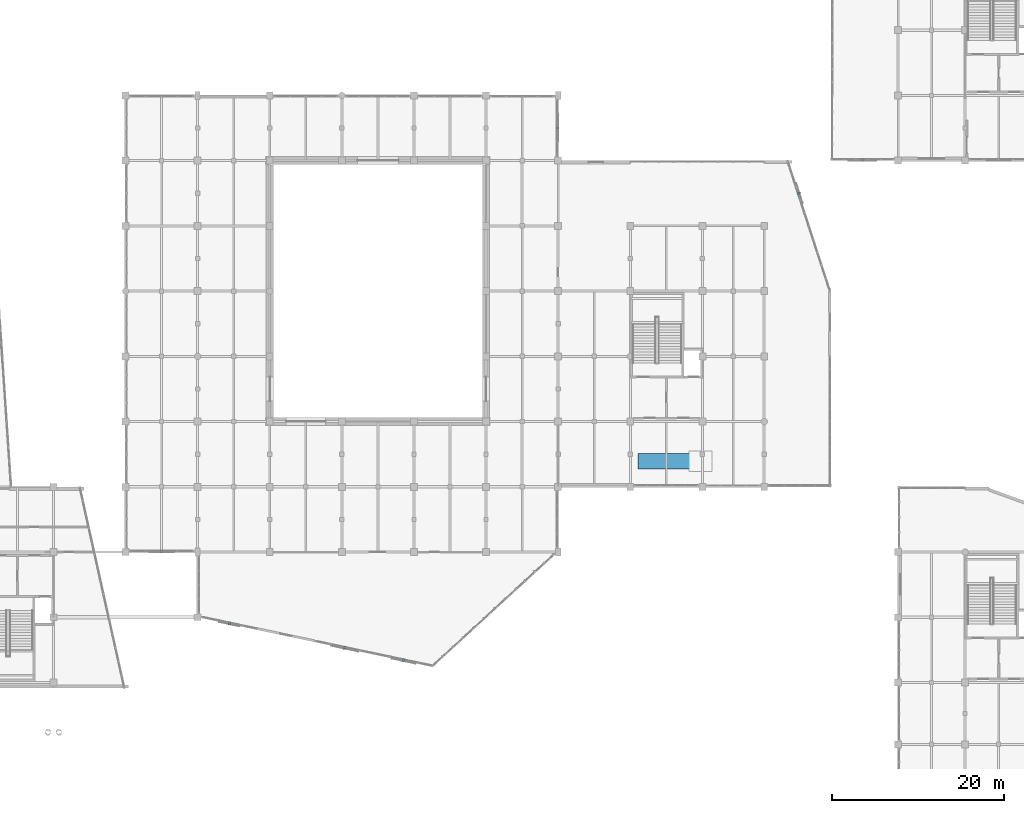
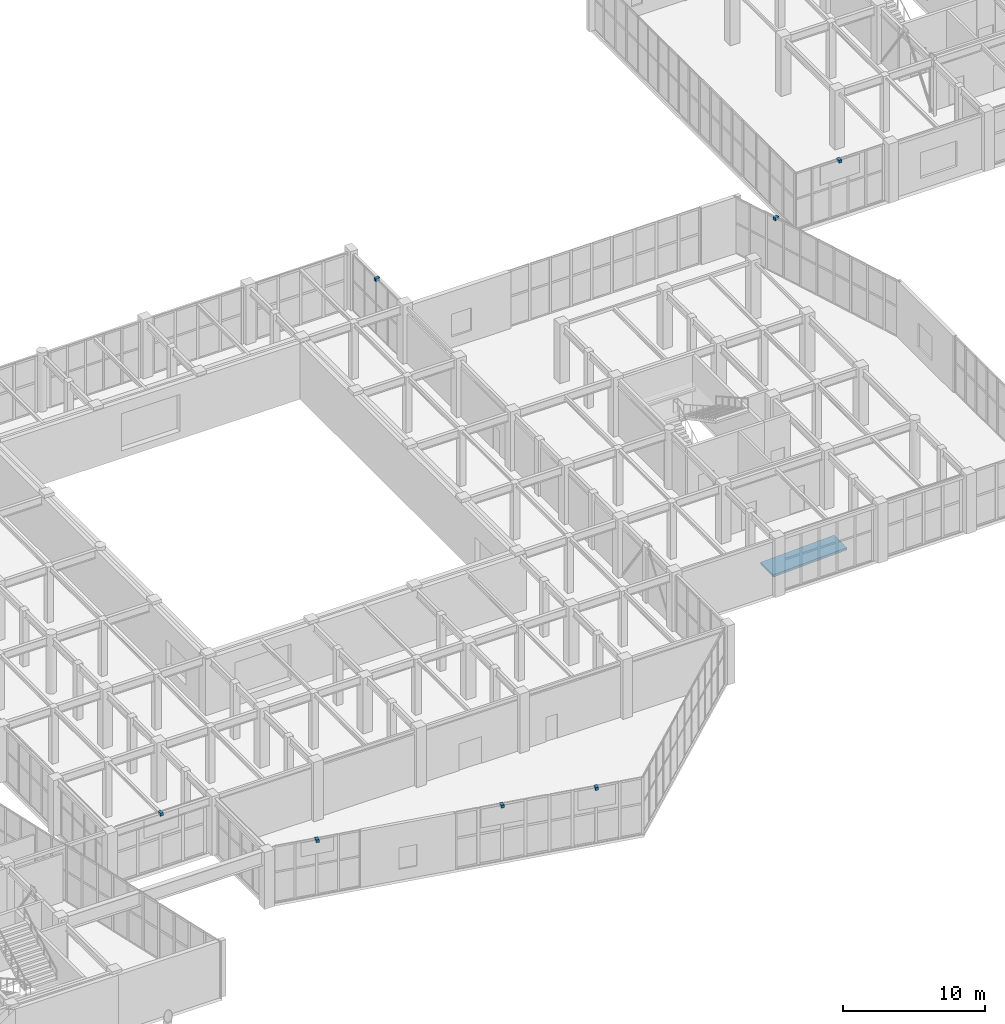
# One storey, part 120 of 128: 7 discrete accessories, 1 ramp flight, 1 element without a shape of its own.
"""IFC4 building model written with IfcOpenShell, lengths in metres."""

from ifc_helpers import new_model, si_unit, direction, frame, origin, origin_2d, place, context, subcontext, project, spatial, polyline, rectangle, outline, extrude, material, type_object, element, aggregate, save


model = new_model("IFC4")

# Units and contexts
model_context = context("Model", 3, precision=1e-05, world=origin(), true_north=direction((0.0, 1.0)))
body_context = subcontext(model_context, "Body", "Model", "MODEL_VIEW")
ifc_project = project(units=[si_unit("LENGTHUNIT", "METRE"), si_unit("AREAUNIT", "SQUARE_METRE"), si_unit("VOLUMEUNIT", "CUBIC_METRE"), si_unit("PLANEANGLEUNIT", "RADIAN"), si_unit("MASSUNIT", "GRAM", prefix="KILO")], contexts=[model_context])

# Site, building, storey
site_placement = place(None, origin())
site = spatial("IfcSite", under=ifc_project, at=site_placement, CompositionType="ELEMENT")
building_placement = place(site_placement, origin())
building = spatial("IfcBuilding", under=site, at=building_placement, Name="Xicomal Pleat Aquarium", CompositionType="ELEMENT")
storey_placement = place(building_placement, frame((0.0, 0.0, 5.39990234375)))
storey = spatial("IfcBuildingStorey", under=building, at=storey_placement, Name="L02", CompositionType="ELEMENT", Elevation=5.39990234375)

# Ramp, ramp flight
ifc_material_1 = material(Name="Concrete C35/45", Category="concrete")
ramp_type = type_object("IfcRampType", Name="RMP-PED-1800", PredefinedType="STRAIGHT_RUN_RAMP", material=ifc_material_1)
ramp_placement = place(storey_placement, origin())
ramp = element("IfcRamp", 1, at=ramp_placement, inside=storey, type_object=ramp_type, Name="Accessible pedestrian gallery ramp PR-04", PredefinedType="STRAIGHT_RUN_RAMP")
ifc_material_2 = material(Name="Concrete C35/45", Category="concrete")
ramp_flight_type = type_object("IfcRampFlightType", Name="RMPF-PED-200", PredefinedType="STRAIGHT", material=ifc_material_2)
ramp_flight_placement = place(storey_placement, frame((103.5, 41.0, 0.0), z_axis=(0.0, 0.0, 1.0), x_axis=(1.0, 0.0, 0.0)))
ramp_flight = element("IfcRampFlight", 2, at=ramp_flight_placement, type_object=ramp_flight_type, Name="Accessible pedestrian ramp flight PR-04", PredefinedType="STRAIGHT", context=body_context, shape_type="SweptSolid", body=[
    extrude(outline(polyline([(0.0, 0.0), (6.0, 0.25), (6.0, 0.050048828125), (0.0, -0.199951171875), (0.0, 0.0)])), frame((0.0, 0.89990234375, 0.0), z_axis=(0.0, -1.0, 0.0), x_axis=(1.0, 0.0, 0.0)), (0.0, 0.0, 1.0), 1.800048828125),
])
aggregate(ramp, [ramp_flight])

# Discrete accessories
ifc_material_3 = material(Name="Stainless steel 316L", Category="steel")
discrete_accessory_type = type_object("IfcDiscreteAccessoryType", Name="ACC-BRK-STL", PredefinedType="BRACKET", material=ifc_material_3)
for number, where, z_axis, x_axis, name in (
    (3, (129.639892578125, 76.080078125, 4.64013671875), (0.0, 0.0, 1.0), (-1.0, 0.0, 0.0), "L02 sunshade support bracket 47"),
    (4, (76.19189453125, 17.802978515625, 4.64013671875), (0.0, 0.0, 1.0), (-0.978328665438, 0.207058016949, 0.0), "L02 sunshade support bracket 49"),
    (5, (69.342041015625, 19.2529296875, 4.64013671875), (0.0, 0.0, 1.0), (-0.978328665438, 0.207058016949, 0.0), "L02 sunshade support bracket 50"),
    (6, (55.903076171875, 22.097900390625, 4.64013671875), (0.0, 0.0, 1.0), (-0.978328665438, 0.207058016949, 0.0), "L02 sunshade support bracket 51"),
    (7, (48.0, 30.47998046875, 4.60009765625), (0.0, 0.0, 1.0), (-1.0, 0.0, 0.0), "L02 sunshade support bracket 52"),
    (8, (94.1201171875, 79.800048828125, 4.60009765625), (0.0, 0.0, 1.0), (0.0, -1.0, 0.0), "L02 sunshade support bracket 53"),
    (9, (122.218994140625, 72.176025390625, 4.64013671875), (0.0, 0.0, 1.0), (0.309016994375, -0.951056516295, 0.0), "L02 sunshade support bracket 54"),
):
    element("IfcDiscreteAccessory", number, at=place(storey_placement, frame(where, z_axis=z_axis, x_axis=x_axis)), inside=storey, type_object=discrete_accessory_type, Name=name, PredefinedType="BRACKET", context=body_context, shape_type="SweptSolid", body=[
        extrude(rectangle(XDim=0.239990234375, YDim=0.360107421875, at=origin_2d()), origin(), (0.0, 0.0, 1.0), 0.239990234375),
    ])

save(model, "model.ifc")
